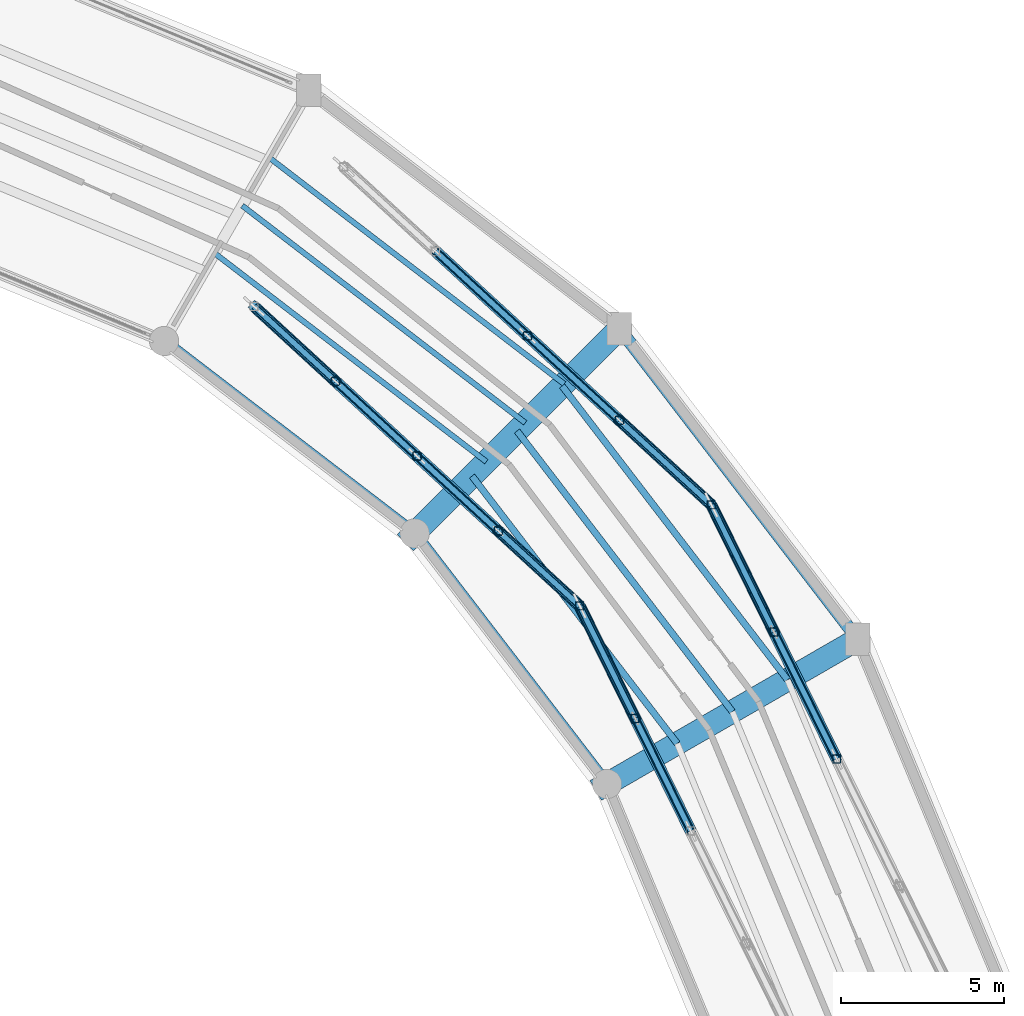
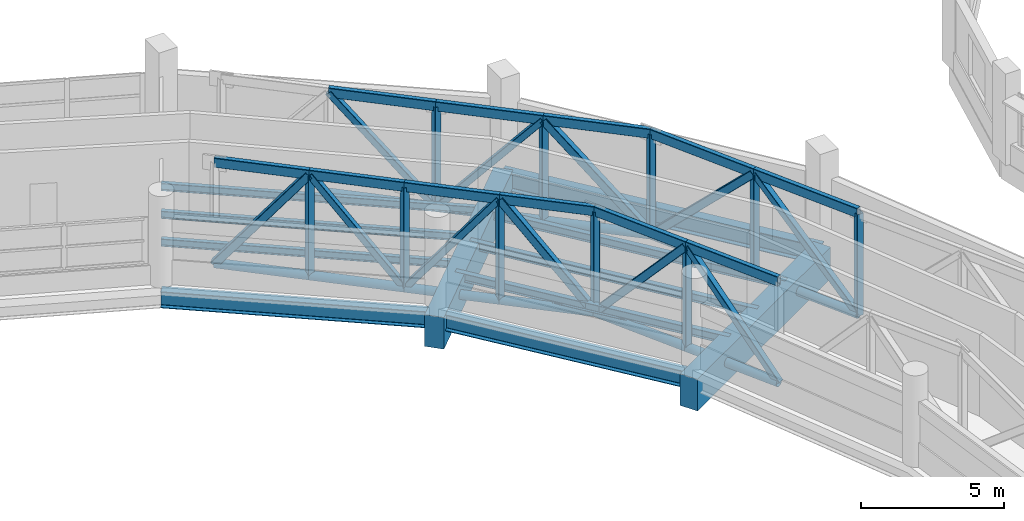
# One storey, part 52 of 121: 43 members, 11 beams.
"""IFC4 building model written with IfcOpenShell, lengths in metres."""

import ifcopenshell
import ifcopenshell.guid

model = None  # the IFC model being written
_history = None  # IfcOwnerHistory: only IFC2X3 demands one
_inside = {}  # id of a spatial element -> (the spatial element, [elements in it])
_under = {}  # id of a project, library or spatial element -> (it, [spatial elements below it])
_declared = {}  # id of a project -> (the project, [libraries it declares])
_typed = {}  # id of a type object -> (the type object, [elements of that type])
_made_of = {}  # id of a material, layer set ... -> (it, [elements and type objects made of it])


def new_model(schema):
    """Start an empty IFC model of exactly this schema.

    Asked for "IFC4X3", IfcOpenShell would pick the latest addendum, in which some entities
    have other attributes; the version numbers below select the first issue.
    IFC2X3 requires an IfcOwnerHistory on every rooted entity: one is made here for all.
    """
    global model, _history
    if schema == "IFC4X3":
        model = ifcopenshell.file(schema_version=(4, 3, 0, 0))
    else:
        model = ifcopenshell.file(schema=schema)
    _inside.clear()
    _under.clear()
    _declared.clear()
    _typed.clear()
    _made_of.clear()
    _history = None
    if model.schema == "IFC2X3":
        org = make("IfcOrganization", Name="unknown")
        user = make(
            "IfcPersonAndOrganization",
            ThePerson=make("IfcPerson", FamilyName="unknown"),
            TheOrganization=org,
        )
        app = make(
            "IfcApplication",
            ApplicationDeveloper=org,
            Version="unknown",
            ApplicationFullName="unknown",
            ApplicationIdentifier="unknown",
        )
        _history = make(
            "IfcOwnerHistory",
            OwningUser=user,
            OwningApplication=app,
            ChangeAction="ADDED",
            CreationDate=0,
        )
    return model


def make(cls, **values):
    """One entity of the class cls with the attributes given. An attribute that is None is left unset."""
    return model.create_entity(
        cls, **{name: value for name, value in values.items() if value is not None}
    )


def rooted(cls, **values):
    """An entity with a GlobalId (a new one), such as an element, a storey or a relation."""
    return make(cls, GlobalId=ifcopenshell.guid.new(), OwnerHistory=_history, **values)


def si_unit(unit_type, name, prefix=None):
    """IfcSIUnit, for example si_unit("LENGTHUNIT", "METRE", prefix="MILLI")."""
    return make("IfcSIUnit", UnitType=unit_type, Prefix=prefix, Name=name)


def assignment(units):
    """IfcUnitAssignment: the units of a project."""
    return None if units is None else make("IfcUnitAssignment", Units=units)


def point(xyz):
    """IfcCartesianPoint."""
    return None if xyz is None else make("IfcCartesianPoint", Coordinates=xyz)


def direction(xyz):
    """IfcDirection."""
    return None if xyz is None else make("IfcDirection", DirectionRatios=xyz)


def frame(location, z_axis=None, x_axis=None):
    """IfcAxis2Placement3D, a coordinate frame: its origin and axes. An axis left out is left unset."""
    return make(
        "IfcAxis2Placement3D",
        Location=point(location),
        Axis=direction(z_axis),
        RefDirection=direction(x_axis),
    )


def frame_2d(location, x_axis=None):
    """IfcAxis2Placement2D, a coordinate frame in the plane: its origin and x axis."""
    return make(
        "IfcAxis2Placement2D", Location=point(location), RefDirection=direction(x_axis)
    )


def origin():
    """The frame at (0, 0, 0) with its axes left unset."""
    return frame((0.0, 0.0, 0.0))


def origin_2d():
    """The frame at (0, 0) in the plane with its x axis left unset."""
    return frame_2d((0.0, 0.0))


def place(relative_to, where):
    """IfcLocalPlacement: puts the frame where relative to a parent placement (None: the world)."""
    return make(
        "IfcLocalPlacement", PlacementRelTo=relative_to, RelativePlacement=where
    )


def context(
    kind, dimensions, precision=None, world=None, true_north=None, identifier=None
):
    """IfcGeometricRepresentationContext, for example the 3D "Model" context."""
    return make(
        "IfcGeometricRepresentationContext",
        ContextIdentifier=identifier,
        ContextType=kind,
        CoordinateSpaceDimension=dimensions,
        Precision=precision,
        WorldCoordinateSystem=world,
        TrueNorth=true_north,
    )


def subcontext(parent, identifier, kind, view, scale=None):
    """IfcGeometricRepresentationSubContext, for example "Body" below "Model"."""
    return make(
        "IfcGeometricRepresentationSubContext",
        ContextIdentifier=identifier,
        ContextType=kind,
        ParentContext=parent,
        TargetScale=scale,
        TargetView=view,
    )


def project(units=None, contexts=None):
    """IfcProject with its units and contexts."""
    return rooted(
        "IfcProject",
        Name="project",
        RepresentationContexts=contexts,
        UnitsInContext=assignment(units),
    )


def spatial(cls, under=None, at=None, **own):
    """A site, building, storey or space (cls), placed at a placement, below another one or the project."""
    s = rooted(cls, ObjectPlacement=at, **own)
    if under is not None:
        _under.setdefault(under.id(), (under, []))[1].append(s)
    return s


def profile(cls, at=None, kind="AREA", **sizes):
    """A parametric profile (cls). Its sizes go by their IFC names, for example OverallWidth=200.0."""
    return make(cls, ProfileType=kind, Position=at, **sizes)


def rectangle(**sizes):
    """IfcRectangleProfileDef."""
    return profile("IfcRectangleProfileDef", **sizes)


def hollow_rectangle(**sizes):
    """IfcRectangleHollowProfileDef."""
    return profile("IfcRectangleHollowProfileDef", **sizes)


def hollow_circle(**sizes):
    """IfcCircleHollowProfileDef."""
    return profile("IfcCircleHollowProfileDef", **sizes)


def i_section(**sizes):
    """IfcIShapeProfileDef."""
    return profile("IfcIShapeProfileDef", **sizes)


def extrude(swept, where, along, depth):
    """IfcExtrudedAreaSolid: the profile swept, set in the frame where, extruded along a direction by depth."""
    return make(
        "IfcExtrudedAreaSolid",
        SweptArea=swept,
        Position=where,
        ExtrudedDirection=direction(along),
        Depth=depth,
    )


def shape(context_of_items, identifier, shape_type, items):
    """IfcShapeRepresentation: the items that make up one representation, for example the "Body"."""
    return make(
        "IfcShapeRepresentation",
        ContextOfItems=context_of_items,
        RepresentationIdentifier=identifier,
        RepresentationType=shape_type,
        Items=items,
    )


def material(Name=None, Category=None):
    """IfcMaterial."""
    return make("IfcMaterial", Name=Name, Category=Category)


def material_profile(
    of_material, cross_section, Name=None, Category=None, Priority=None
):
    """IfcMaterialProfile: a cross section and its material."""
    return make(
        "IfcMaterialProfile",
        Name=Name,
        Material=of_material,
        Profile=cross_section,
        Priority=Priority,
        Category=Category,
    )


def profile_set(profiles, Name=None, composite=None):
    """IfcMaterialProfileSet."""
    return make(
        "IfcMaterialProfileSet",
        Name=Name,
        MaterialProfiles=profiles,
        CompositeProfile=composite,
    )


def made_of(thing, what):
    """Note that an element or type object is made of a material, layer set ...; save() writes the relation."""
    if what is not None:
        _made_of.setdefault(what.id(), (what, []))[1].append(thing)
    return thing


def type_object(cls, material=None, **own):
    """A type object (cls), such as IfcWallType, which elements share."""
    return made_of(rooted(cls, **own), material)


def element(
    cls,
    number,
    at=None,
    inside=None,
    cuts=None,
    type_object=None,
    material=None,
    context=None,
    identifier="Body",
    shape_type=None,
    held_by="IfcProductDefinitionShape",
    body=None,
    shapes=None,
    **own,
):
    """One element of the class cls, such as IfcWall. Its Tag is "e" and its number.

    at: its placement. inside: the storey or other place that contains it. cuts: it is an
    opening in that element (IfcRelVoidsElement). A single representation is given by context,
    identifier, shape_type and body (its items); several are given by shapes. held_by: the class
    of the entity that holds the representations. save() writes the other relations.
    """
    e = rooted(cls, Tag="e%d" % number, ObjectPlacement=at, **own)
    if body is not None:
        shapes = [shape(context, identifier, shape_type, body)]
    if shapes is not None:
        e.Representation = make(held_by, Representations=shapes)
    if inside is not None:
        _inside.setdefault(inside.id(), (inside, []))[1].append(e)
    if cuts is not None:
        rooted(
            "IfcRelVoidsElement", RelatingBuildingElement=cuts, RelatedOpeningElement=e
        )
    if type_object is not None:
        _typed.setdefault(type_object.id(), (type_object, []))[1].append(e)
    return made_of(e, material)


def aggregate(whole, parts):
    """IfcRelAggregates: a whole, such as a stair, and the parts it consists of."""
    return rooted("IfcRelAggregates", RelatingObject=whole, RelatedObjects=parts)


def save(model, path):
    """Write the relations noted so far, then the file.

    IfcRelAggregates (storeys below a building ...), IfcRelContainedInSpatialStructure (elements
    in a storey), IfcRelDefinesByType, IfcRelAssociatesMaterial and IfcRelDeclares: one each for
    every whole, place, type object, material and project.
    """
    for whole, parts in _under.values():
        aggregate(whole, parts)
    for where, things in _inside.values():
        rooted(
            "IfcRelContainedInSpatialStructure",
            RelatedElements=things,
            RelatingStructure=where,
        )
    for kind, things in _typed.values():
        rooted("IfcRelDefinesByType", RelatedObjects=things, RelatingType=kind)
    for what, things in _made_of.values():
        rooted("IfcRelAssociatesMaterial", RelatedObjects=things, RelatingMaterial=what)
    for by, libraries in _declared.values():
        rooted("IfcRelDeclares", RelatingContext=by, RelatedDefinitions=libraries)
    model.write(path)


model = new_model("IFC4")

# Units and contexts
model_context = context("Model", 3, precision=1e-05, world=origin(), true_north=direction((0.0, 1.0)))
body_context = subcontext(model_context, "Body", "Model", "MODEL_VIEW")
ifc_project = project(units=[si_unit("LENGTHUNIT", "METRE"), si_unit("AREAUNIT", "SQUARE_METRE"), si_unit("VOLUMEUNIT", "CUBIC_METRE"), si_unit("PLANEANGLEUNIT", "RADIAN"), si_unit("MASSUNIT", "GRAM", prefix="KILO")], contexts=[model_context])

# Site, building, storey
site_placement = place(None, origin())
site = spatial("IfcSite", under=ifc_project, at=site_placement, CompositionType="ELEMENT")
building_placement = place(site_placement, origin())
building = spatial("IfcBuilding", under=site, at=building_placement, Name="Vespera Passage Community Centre", CompositionType="ELEMENT")
storey_placement = place(building_placement, frame((0.0, 0.0, 8.699951171875)))
storey = spatial("IfcBuildingStorey", under=building, at=storey_placement, Name="L02", CompositionType="ELEMENT", Elevation=8.699951171875)

# Members
ifc_material_1 = material(Name="Steel ASTM A500 Grade C", Category="steel")
ifc_material_profile_1 = material_profile(ifc_material_1, hollow_circle(Radius=0.177734375, WallThickness=0.014892578125, at=origin_2d()), Name="CHS356X15.9")
ifc_profile_set_1 = profile_set([ifc_material_profile_1], Name="Steel ASTM A500 Grade C")
member_type_1 = type_object("IfcMemberType", Name="BC-356", PredefinedType="CHORD", material=ifc_profile_set_1)
member_1_placement = place(storey_placement, frame((117.27587890625, 84.868896484375, -0.849853515625), z_axis=(-0.442296190279, 0.896869042873, 0.0), x_axis=(-0.896869042873, -0.442296190279, 0.0)))
element("IfcMember", 1, at=member_1_placement, inside=storey, type_object=member_type_1, Name="BC-356 Transfer Truss Chord TR6O.3", PredefinedType="CHORD", context=body_context, shape_type="SweptSolid", body=[
    extrude(hollow_circle(Radius=0.177734375, WallThickness=0.014892578125, at=origin_2d()), origin(), (0.0, 0.0, 1.0), 4.355224609375),
])
member_2_placement = place(storey_placement, frame((115.349609375, 88.77490234375, -0.849853515625), z_axis=(-0.442319042762, 0.896857772676, 0.0), x_axis=(-0.896857772676, -0.442319042762, 0.0)))
element("IfcMember", 2, at=member_2_placement, inside=storey, type_object=member_type_1, Name="BC-356 Transfer Truss Chord TR6O.4", PredefinedType="CHORD", context=body_context, shape_type="SweptSolid", body=[
    extrude(hollow_circle(Radius=0.177734375, WallThickness=0.014892578125, at=origin_2d()), origin(), (0.0, 0.0, 1.0), 4.35546875),
])
for number, where, z_axis, x_axis, name in (
    (3, (112.789794921875, 82.656494140625, -0.849853515625), (-0.44229597074, 0.896869151141, 0.0), (-0.896869151141, -0.44229597074, 0.0), "BC-356 Transfer Truss Chord TR6I.3"),
    (4, (111.08349609375, 86.116455078125, -0.849853515625), (-0.44229597074, 0.896869151141, 0.0), (-0.896869151141, -0.44229597074, 0.0), "BC-356 Transfer Truss Chord TR6I.4"),
):
    element("IfcMember", number, at=place(storey_placement, frame(where, z_axis=z_axis, x_axis=x_axis)), inside=storey, type_object=member_type_1, Name=name, PredefinedType="CHORD", context=body_context, shape_type="SweptSolid", body=[
        extrude(hollow_circle(Radius=0.177734375, WallThickness=0.014892578125, at=origin_2d()), origin(), (0.0, 0.0, 1.0), 3.85791015625),
    ])
member_3_placement = place(storey_placement, frame((113.423095703125, 92.68115234375, -0.849853515625), z_axis=(-0.736065377644, 0.676910451857, 0.0), x_axis=(-0.676910451857, -0.736065377644, 0.0)))
element("IfcMember", 5, at=member_3_placement, inside=storey, type_object=member_type_1, Name="BC-356 Transfer Truss Chord TR7O.1", PredefinedType="CHORD", context=body_context, shape_type="SweptSolid", body=[
    extrude(hollow_circle(Radius=0.177734375, WallThickness=0.014892578125, at=origin_2d()), origin(), (0.0, 0.0, 1.0), 3.838134765625),
])
member_4_placement = place(storey_placement, frame((110.597900390625, 95.279296875, -0.849853515625), z_axis=(-0.736094521023, 0.676878760281, 0.0), x_axis=(-0.676878760281, -0.736094521023, 0.0)))
element("IfcMember", 6, at=member_4_placement, inside=storey, type_object=member_type_1, Name="BC-356 Transfer Truss Chord TR7O.2", PredefinedType="CHORD", context=body_context, shape_type="SweptSolid", body=[
    extrude(hollow_circle(Radius=0.177734375, WallThickness=0.014892578125, at=origin_2d()), origin(), (0.0, 0.0, 1.0), 3.83837890625),
])
member_5_placement = place(storey_placement, frame((107.7724609375, 97.87744140625, -0.849853515625), z_axis=(-0.736126212301, 0.676844294919, 0.0), x_axis=(-0.676844294919, -0.736126212301, 0.0)))
element("IfcMember", 7, at=member_5_placement, inside=storey, type_object=member_type_1, Name="BC-356 Transfer Truss Chord TR7O.3", PredefinedType="CHORD", context=body_context, shape_type="SweptSolid", body=[
    extrude(hollow_circle(Radius=0.177734375, WallThickness=0.014892578125, at=origin_2d()), origin(), (0.0, 0.0, 1.0), 3.838134765625),
])
member_6_placement = place(storey_placement, frame((109.377197265625, 89.576416015625, -0.849853515625), z_axis=(-0.736107023039, 0.676865164293, 0.0), x_axis=(-0.676865164293, -0.736107023039, 0.0)))
element("IfcMember", 8, at=member_6_placement, inside=storey, type_object=member_type_1, Name="BC-356 Transfer Truss Chord TR7I.1", PredefinedType="CHORD", context=body_context, shape_type="SweptSolid", body=[
    extrude(hollow_circle(Radius=0.177734375, WallThickness=0.014892578125, at=origin_2d()), origin(), (0.0, 0.0, 1.0), 3.39990234375),
])
member_7_placement = place(storey_placement, frame((106.87451171875, 91.877685546875, -0.849853515625), z_axis=(-0.736071245602, 0.676904071046, 0.0), x_axis=(-0.676904071046, -0.736071245602, 0.0)))
element("IfcMember", 9, at=member_7_placement, inside=storey, type_object=member_type_1, Name="BC-356 Transfer Truss Chord TR7I.2", PredefinedType="CHORD", context=body_context, shape_type="SweptSolid", body=[
    extrude(hollow_circle(Radius=0.177734375, WallThickness=0.014892578125, at=origin_2d()), origin(), (0.0, 0.0, 1.0), 3.400146484375),
])
for number, where, z_axis, x_axis, name in (
    (10, (104.371826171875, 94.17919921875, -0.849853515625), (-0.736107023039, 0.676865164293, 0.0), (-0.676865164293, -0.736107023039, 0.0), "BC-356 Transfer Truss Chord TR7I.3"),
    (11, (101.869140625, 96.48046875, -0.849853515625), (-0.736107023039, 0.676865164293, 0.0), (-0.676865164293, -0.736107023039, 0.0), "BC-356 Transfer Truss Chord TR7I.4"),
):
    element("IfcMember", number, at=place(storey_placement, frame(where, z_axis=z_axis, x_axis=x_axis)), inside=storey, type_object=member_type_1, Name=name, PredefinedType="CHORD", context=body_context, shape_type="SweptSolid", body=[
        extrude(hollow_circle(Radius=0.177734375, WallThickness=0.014892578125, at=origin_2d()), origin(), (0.0, 0.0, 1.0), 3.39990234375),
    ])

# Beams
ifc_material_2 = material(Name="Steel ASTM A992 Grade 50", Category="steel")
ifc_material_profile_2 = material_profile(ifc_material_2, i_section(OverallWidth=0.16650390625, OverallDepth=0.3173828125, WebThickness=0.007568359375, FlangeThickness=0.01318359375, FilletRadius=0.007568359375, at=origin_2d()), Name="W12X35")
ifc_profile_set_2 = profile_set([ifc_material_profile_2], Name="Steel ASTM A992 Grade 50")
beam_type_1 = type_object("IfcBeamType", Name="BM-J-W12X35", PredefinedType="JOIST", material=ifc_profile_set_2)
beam_1_placement = place(storey_placement, frame((106.507080078125, 94.007080078125, -0.498779296875), z_axis=(-0.793359871824, 0.608752916854, 0.0), x_axis=(-0.608752916854, -0.793359871824, 0.0)))
element("IfcBeam", 12, at=beam_1_placement, inside=storey, type_object=beam_type_1, Name="V4 L02 Floor Joist 3.1", PredefinedType="JOIST", context=body_context, shape_type="SweptSolid", body=[
    extrude(i_section(OverallWidth=0.16650390625, OverallDepth=0.3173828125, WebThickness=0.007568359375, FlangeThickness=0.01318359375, FilletRadius=0.007568359375, at=origin_2d()), origin(), (0.0, 0.0, 1.0), 10.5244140625),
])
beam_2_placement = place(storey_placement, frame((107.70263671875, 95.20263671875, -0.498779296875), z_axis=(-0.793341833785, 0.608776424286, 0.0), x_axis=(-0.608776424286, -0.793341833785, 0.0)))
element("IfcBeam", 13, at=beam_2_placement, inside=storey, type_object=beam_type_1, Name="V4 L02 Floor Joist 3.2", PredefinedType="JOIST", context=body_context, shape_type="SweptSolid", body=[
    extrude(i_section(OverallWidth=0.16650390625, OverallDepth=0.3173828125, WebThickness=0.007568359375, FlangeThickness=0.01318359375, FilletRadius=0.007568359375, at=origin_2d()), origin(), (0.0, 0.0, 1.0), 10.9658203125),
])
beam_3_placement = place(storey_placement, frame((108.8984375, 96.3984375, -0.498779296875), z_axis=(-0.793353796307, 0.608760834718, 0.0), x_axis=(-0.608760834718, -0.793353796307, 0.0)))
element("IfcBeam", 14, at=beam_3_placement, inside=storey, type_object=beam_type_1, Name="V4 L02 Floor Joist 3.3", PredefinedType="JOIST", context=body_context, shape_type="SweptSolid", body=[
    extrude(i_section(OverallWidth=0.16650390625, OverallDepth=0.3173828125, WebThickness=0.007568359375, FlangeThickness=0.01318359375, FilletRadius=0.007568359375, at=origin_2d()), origin(), (0.0, 0.0, 1.0), 11.4072265625),
])
ifc_material_3 = material(Name="Steel ASTM A992 Grade 50", Category="steel")
ifc_material_profile_3 = material_profile(ifc_material_3, i_section(OverallWidth=0.2041015625, OverallDepth=0.3505859375, WebThickness=0.008544921875, FlangeThickness=0.01513671875, FilletRadius=0.01513671875, at=origin_2d()), Name="W14X48")
ifc_profile_set_3 = profile_set([ifc_material_profile_3], Name="Steel ASTM A992 Grade 50")
beam_type_2 = type_object("IfcBeamType", Name="BM-J-W14X48", PredefinedType="JOIST", material=ifc_profile_set_3)
beam_4_placement = place(storey_placement, frame((112.374267578125, 85.345947265625, -0.51513671875), z_axis=(-0.608766367214, 0.793349551049, 0.0), x_axis=(-0.793349551049, -0.608766367214, 0.0)))
element("IfcBeam", 15, at=beam_4_placement, inside=storey, type_object=beam_type_2, Name="V4 L02 Floor Joist 2.1", PredefinedType="JOIST", context=body_context, shape_type="SweptSolid", body=[
    extrude(i_section(OverallWidth=0.2041015625, OverallDepth=0.3505859375, WebThickness=0.008544921875, FlangeThickness=0.01513671875, FilletRadius=0.01513671875, at=origin_2d()), origin(), (0.0, 0.0, 1.0), 10.36181640625),
])
beam_5_placement = place(storey_placement, frame((114.070068359375, 86.324951171875, -0.51513671875), z_axis=(-0.608772775584, 0.793344633629, 0.0), x_axis=(-0.793344633629, -0.608772775584, 0.0)))
element("IfcBeam", 16, at=beam_5_placement, inside=storey, type_object=beam_type_2, Name="V4 L02 Floor Joist 2.2", PredefinedType="JOIST", context=body_context, shape_type="SweptSolid", body=[
    extrude(i_section(OverallWidth=0.2041015625, OverallDepth=0.3505859375, WebThickness=0.008544921875, FlangeThickness=0.01513671875, FilletRadius=0.01513671875, at=origin_2d()), origin(), (0.0, 0.0, 1.0), 10.873046875),
])
beam_6_placement = place(storey_placement, frame((115.765625, 87.303955078125, -0.51513671875), z_axis=(-0.608765110442, 0.793350515415, 0.0), x_axis=(-0.793350515415, -0.608765110442, 0.0)))
element("IfcBeam", 17, at=beam_6_placement, inside=storey, type_object=beam_type_2, Name="V4 L02 Floor Joist 2.3", PredefinedType="JOIST", context=body_context, shape_type="SweptSolid", body=[
    extrude(i_section(OverallWidth=0.2041015625, OverallDepth=0.3505859375, WebThickness=0.008544921875, FlangeThickness=0.01513671875, FilletRadius=0.01513671875, at=origin_2d()), origin(), (0.0, 0.0, 1.0), 11.384033203125),
])
ifc_material_4 = material(Name="Steel ASTM A992 Grade 50", Category="steel")
ifc_material_profile_4 = material_profile(ifc_material_4, i_section(OverallWidth=0.3544921875, OverallDepth=0.695556640625, WebThickness=0.015380859375, FlangeThickness=0.024658203125, FilletRadius=0.01513671875, at=origin_2d()), Name="W27X146")
ifc_profile_set_4 = profile_set([ifc_material_profile_4], Name="Steel ASTM A992 Grade 50")
beam_type_3 = type_object("IfcBeamType", Name="BM-SP-W27X146E", PredefinedType="SPANDREL", material=ifc_profile_set_4)
for number, where, z_axis, x_axis, name in (
    (18, (110.216064453125, 84.10009765625, -0.687744140625), (-0.60875291963, 0.793359869694, 0.0), (-0.793359869694, -0.60875291963, 0.0), "V4 L02 Inner Spandrel 2"),
    (19, (104.304443359375, 91.804443359375, -0.687744140625), (-0.793359869694, 0.60875291963, 0.0), (-0.60875291963, -0.793359869694, 0.0), "V4 L02 Inner Spandrel 3"),
):
    element("IfcBeam", number, at=place(storey_placement, frame(where, z_axis=z_axis, x_axis=x_axis)), inside=storey, type_object=beam_type_3, Name=name, PredefinedType="SPANDREL", context=body_context, shape_type="SweptSolid", body=[
        extrude(i_section(OverallWidth=0.3544921875, OverallDepth=0.695556640625, WebThickness=0.015380859375, FlangeThickness=0.024658203125, FilletRadius=0.01513671875, at=origin_2d()), origin(), (0.0, 0.0, 1.0), 9.7109375),
    ])
ifc_material_5 = material(Name="Steel ASTM A992 Grade 50", Category="steel")
ifc_material_profile_5 = material_profile(ifc_material_5, i_section(OverallWidth=0.382080078125, OverallDepth=0.779296875, WebThickness=0.01806640625, FlangeThickness=0.030029296875, FilletRadius=0.0166015625, at=origin_2d()), Name="W30X191")
ifc_profile_set_5 = profile_set([ifc_material_profile_5], Name="Steel ASTM A992 Grade 50")
beam_type_4 = type_object("IfcBeamType", Name="BM-SP-W30X191E", PredefinedType="SPANDREL", material=ifc_profile_set_5)
beam_7_placement = place(storey_placement, frame((117.923828125, 88.550048828125, -0.729736328125), z_axis=(-0.608763261066, 0.793351934501, 0.0), x_axis=(-0.793351934501, -0.608763261066, 0.0)))
element("IfcBeam", 20, at=beam_7_placement, inside=storey, type_object=beam_type_4, Name="V4 L02 Outer Spandrel 2", PredefinedType="SPANDREL", context=body_context, shape_type="SweptSolid", body=[
    extrude(i_section(OverallWidth=0.382080078125, OverallDepth=0.779296875, WebThickness=0.01806640625, FlangeThickness=0.030029296875, FilletRadius=0.0166015625, at=origin_2d()), origin(), (0.0, 0.0, 1.0), 12.034423828125),
])

# Members
ifc_material_6 = material(Name="Steel ASTM A500 Grade C", Category="steel")
ifc_material_profile_6 = material_profile(ifc_material_6, hollow_rectangle(XDim=0.203125, YDim=0.406494140625, WallThickness=0.014892578125, InnerFilletRadius=0.014892578125, OuterFilletRadius=0.029541015625, at=origin_2d()), Name="HSS406X203X15.9")
ifc_profile_set_6 = profile_set([ifc_material_profile_6], Name="Steel ASTM A500 Grade C")
member_type_2 = type_object("IfcMemberType", Name="TC-406", PredefinedType="CHORD", material=ifc_profile_set_6)
member_8_placement = place(storey_placement, frame((117.27587890625, 84.868896484375, 3.47998046875), z_axis=(-0.442296190279, 0.896869042873, 0.0), x_axis=(-0.896869042873, -0.442296190279, 0.0)))
element("IfcMember", 21, at=member_8_placement, inside=storey, type_object=member_type_2, Name="TC-406 Transfer Truss Chord TR6O.3", PredefinedType="CHORD", context=body_context, shape_type="SweptSolid", body=[
    extrude(hollow_rectangle(XDim=0.203125, YDim=0.406494140625, WallThickness=0.014892578125, InnerFilletRadius=0.014892578125, OuterFilletRadius=0.029541015625, at=origin_2d()), origin(), (0.0, 0.0, 1.0), 4.355224609375),
])
member_9_placement = place(storey_placement, frame((115.349609375, 88.77490234375, 3.47998046875), z_axis=(-0.442319042762, 0.896857772676, 0.0), x_axis=(-0.896857772676, -0.442319042762, 0.0)))
element("IfcMember", 22, at=member_9_placement, inside=storey, type_object=member_type_2, Name="TC-406 Transfer Truss Chord TR6O.4", PredefinedType="CHORD", context=body_context, shape_type="SweptSolid", body=[
    extrude(hollow_rectangle(XDim=0.203125, YDim=0.406494140625, WallThickness=0.014892578125, InnerFilletRadius=0.014892578125, OuterFilletRadius=0.029541015625, at=origin_2d()), origin(), (0.0, 0.0, 1.0), 4.35546875),
])
for number, where, z_axis, x_axis, name in (
    (23, (112.789794921875, 82.656494140625, 3.47998046875), (-0.44229597074, 0.896869151141, 0.0), (-0.896869151141, -0.44229597074, 0.0), "TC-406 Transfer Truss Chord TR6I.3"),
    (24, (111.08349609375, 86.116455078125, 3.47998046875), (-0.44229597074, 0.896869151141, 0.0), (-0.896869151141, -0.44229597074, 0.0), "TC-406 Transfer Truss Chord TR6I.4"),
):
    element("IfcMember", number, at=place(storey_placement, frame(where, z_axis=z_axis, x_axis=x_axis)), inside=storey, type_object=member_type_2, Name=name, PredefinedType="CHORD", context=body_context, shape_type="SweptSolid", body=[
        extrude(hollow_rectangle(XDim=0.203125, YDim=0.406494140625, WallThickness=0.014892578125, InnerFilletRadius=0.014892578125, OuterFilletRadius=0.029541015625, at=origin_2d()), origin(), (0.0, 0.0, 1.0), 3.85791015625),
    ])
member_10_placement = place(storey_placement, frame((113.423095703125, 92.68115234375, 3.47998046875), z_axis=(-0.736065377644, 0.676910451857, 0.0), x_axis=(-0.676910451857, -0.736065377644, 0.0)))
element("IfcMember", 25, at=member_10_placement, inside=storey, type_object=member_type_2, Name="TC-406 Transfer Truss Chord TR7O.1", PredefinedType="CHORD", context=body_context, shape_type="SweptSolid", body=[
    extrude(hollow_rectangle(XDim=0.203125, YDim=0.406494140625, WallThickness=0.014892578125, InnerFilletRadius=0.014892578125, OuterFilletRadius=0.029541015625, at=origin_2d()), origin(), (0.0, 0.0, 1.0), 3.838134765625),
])
member_11_placement = place(storey_placement, frame((110.597900390625, 95.279296875, 3.47998046875), z_axis=(-0.736094521023, 0.676878760281, 0.0), x_axis=(-0.676878760281, -0.736094521023, 0.0)))
element("IfcMember", 26, at=member_11_placement, inside=storey, type_object=member_type_2, Name="TC-406 Transfer Truss Chord TR7O.2", PredefinedType="CHORD", context=body_context, shape_type="SweptSolid", body=[
    extrude(hollow_rectangle(XDim=0.203125, YDim=0.406494140625, WallThickness=0.014892578125, InnerFilletRadius=0.014892578125, OuterFilletRadius=0.029541015625, at=origin_2d()), origin(), (0.0, 0.0, 1.0), 3.83837890625),
])
member_12_placement = place(storey_placement, frame((107.7724609375, 97.87744140625, 3.47998046875), z_axis=(-0.736126212301, 0.676844294919, 0.0), x_axis=(-0.676844294919, -0.736126212301, 0.0)))
element("IfcMember", 27, at=member_12_placement, inside=storey, type_object=member_type_2, Name="TC-406 Transfer Truss Chord TR7O.3", PredefinedType="CHORD", context=body_context, shape_type="SweptSolid", body=[
    extrude(hollow_rectangle(XDim=0.203125, YDim=0.406494140625, WallThickness=0.014892578125, InnerFilletRadius=0.014892578125, OuterFilletRadius=0.029541015625, at=origin_2d()), origin(), (0.0, 0.0, 1.0), 3.838134765625),
])
member_13_placement = place(storey_placement, frame((109.377197265625, 89.576416015625, 3.47998046875), z_axis=(-0.736107023039, 0.676865164293, 0.0), x_axis=(-0.676865164293, -0.736107023039, 0.0)))
element("IfcMember", 28, at=member_13_placement, inside=storey, type_object=member_type_2, Name="TC-406 Transfer Truss Chord TR7I.1", PredefinedType="CHORD", context=body_context, shape_type="SweptSolid", body=[
    extrude(hollow_rectangle(XDim=0.203125, YDim=0.406494140625, WallThickness=0.014892578125, InnerFilletRadius=0.014892578125, OuterFilletRadius=0.029541015625, at=origin_2d()), origin(), (0.0, 0.0, 1.0), 3.39990234375),
])
member_14_placement = place(storey_placement, frame((106.87451171875, 91.877685546875, 3.47998046875), z_axis=(-0.736071245602, 0.676904071046, 0.0), x_axis=(-0.676904071046, -0.736071245602, 0.0)))
element("IfcMember", 29, at=member_14_placement, inside=storey, type_object=member_type_2, Name="TC-406 Transfer Truss Chord TR7I.2", PredefinedType="CHORD", context=body_context, shape_type="SweptSolid", body=[
    extrude(hollow_rectangle(XDim=0.203125, YDim=0.406494140625, WallThickness=0.014892578125, InnerFilletRadius=0.014892578125, OuterFilletRadius=0.029541015625, at=origin_2d()), origin(), (0.0, 0.0, 1.0), 3.400146484375),
])
for number, where, z_axis, x_axis, name in (
    (30, (104.371826171875, 94.17919921875, 3.47998046875), (-0.736107023039, 0.676865164293, 0.0), (-0.676865164293, -0.736107023039, 0.0), "TC-406 Transfer Truss Chord TR7I.3"),
    (31, (101.869140625, 96.48046875, 3.47998046875), (-0.736107023039, 0.676865164293, 0.0), (-0.676865164293, -0.736107023039, 0.0), "TC-406 Transfer Truss Chord TR7I.4"),
):
    element("IfcMember", number, at=place(storey_placement, frame(where, z_axis=z_axis, x_axis=x_axis)), inside=storey, type_object=member_type_2, Name=name, PredefinedType="CHORD", context=body_context, shape_type="SweptSolid", body=[
        extrude(hollow_rectangle(XDim=0.203125, YDim=0.406494140625, WallThickness=0.014892578125, InnerFilletRadius=0.014892578125, OuterFilletRadius=0.029541015625, at=origin_2d()), origin(), (0.0, 0.0, 1.0), 3.39990234375),
    ])
ifc_material_7 = material(Name="Steel ASTM A500 Grade C", Category="steel")
ifc_material_profile_7 = material_profile(ifc_material_7, hollow_rectangle(XDim=0.25390625, YDim=0.25390625, WallThickness=0.01171875, InnerFilletRadius=0.01171875, OuterFilletRadius=0.023681640625, at=origin_2d()), Name="HSS254X254X12.7")
ifc_profile_set_7 = profile_set([ifc_material_profile_7], Name="Steel ASTM A500 Grade C")
member_type_3 = type_object("IfcMemberType", Name="TD-254", PredefinedType="BRACE", material=ifc_profile_set_7)
member_15_placement = place(storey_placement, frame((117.27587890625, 84.868896484375, -0.849853515625), z_axis=(-0.313661210672, 0.63602860704, 0.705042024242), x_axis=(-0.896869042873, -0.442296190279, 0.0)))
element("IfcMember", 32, at=member_15_placement, inside=storey, type_object=member_type_3, Name="TD-254 Transfer Truss Diagonal TR6O.3", PredefinedType="BRACE", context=body_context, shape_type="SweptSolid", body=[
    extrude(hollow_rectangle(XDim=0.25390625, YDim=0.25390625, WallThickness=0.01171875, InnerFilletRadius=0.01171875, OuterFilletRadius=0.023681640625, at=origin_2d()), origin(), (0.0, 0.0, 1.0), 6.141357421875),
])
member_16_placement = place(storey_placement, frame((112.789794921875, 82.656494140625, -0.849853515625), z_axis=(-0.294232105387, 0.596631477685, 0.746631333386), x_axis=(-0.896869151141, -0.44229597074, 0.0)))
element("IfcMember", 33, at=member_16_placement, inside=storey, type_object=member_type_3, Name="TD-254 Transfer Truss Diagonal TR6I.3", PredefinedType="BRACE", context=body_context, shape_type="SweptSolid", body=[
    extrude(hollow_rectangle(XDim=0.25390625, YDim=0.25390625, WallThickness=0.01171875, InnerFilletRadius=0.01171875, OuterFilletRadius=0.023681640625, at=origin_2d()), origin(), (0.0, 0.0, 1.0), 5.799072265625),
])
member_17_placement = place(storey_placement, frame((110.597900390625, 95.279296875, 3.47998046875), z_axis=(-0.488300622887, 0.449018856715, -0.748294439377), x_axis=(-0.676878760281, -0.736094521023, 0.0)))
element("IfcMember", 34, at=member_17_placement, inside=storey, type_object=member_type_3, Name="TD-254 Transfer Truss Diagonal TR7O.2", PredefinedType="BRACE", context=body_context, shape_type="SweptSolid", body=[
    extrude(hollow_rectangle(XDim=0.25390625, YDim=0.25390625, WallThickness=0.01171875, InnerFilletRadius=0.01171875, OuterFilletRadius=0.023681640625, at=origin_2d()), origin(), (0.0, 0.0, 1.0), 5.786376953125),
])
member_18_placement = place(storey_placement, frame((107.7724609375, 97.87744140625, -0.849853515625), z_axis=(-0.488309873811, 0.448985169552, 0.74830861592), x_axis=(-0.676844294919, -0.736126212301, 0.0)))
element("IfcMember", 35, at=member_18_placement, inside=storey, type_object=member_type_3, Name="TD-254 Transfer Truss Diagonal TR7O.3", PredefinedType="BRACE", context=body_context, shape_type="SweptSolid", body=[
    extrude(hollow_rectangle(XDim=0.25390625, YDim=0.25390625, WallThickness=0.01171875, InnerFilletRadius=0.01171875, OuterFilletRadius=0.023681640625, at=origin_2d()), origin(), (0.0, 0.0, 1.0), 5.7861328125),
])
member_19_placement = place(storey_placement, frame((106.87451171875, 91.877685546875, 3.47998046875), z_axis=(-0.454599162912, 0.418057390379, -0.786490698883), x_axis=(-0.676904071046, -0.736071245602, 0.0)))
element("IfcMember", 36, at=member_19_placement, inside=storey, type_object=member_type_3, Name="TD-254 Transfer Truss Diagonal TR7I.2", PredefinedType="BRACE", context=body_context, shape_type="SweptSolid", body=[
    extrude(hollow_rectangle(XDim=0.25390625, YDim=0.25390625, WallThickness=0.01171875, InnerFilletRadius=0.01171875, OuterFilletRadius=0.023681640625, at=origin_2d()), origin(), (0.0, 0.0, 1.0), 5.50537109375),
])
member_20_placement = place(storey_placement, frame((104.371826171875, 94.17919921875, -0.849853515625), z_axis=(-0.454607590746, 0.41802079313, 0.786505279669), x_axis=(-0.676865164293, -0.736107023039, 0.0)))
element("IfcMember", 37, at=member_20_placement, inside=storey, type_object=member_type_3, Name="TD-254 Transfer Truss Diagonal TR7I.3", PredefinedType="BRACE", context=body_context, shape_type="SweptSolid", body=[
    extrude(hollow_rectangle(XDim=0.25390625, YDim=0.25390625, WallThickness=0.01171875, InnerFilletRadius=0.01171875, OuterFilletRadius=0.023681640625, at=origin_2d()), origin(), (0.0, 0.0, 1.0), 5.505126953125),
])
ifc_material_8 = material(Name="Steel ASTM A500 Grade C", Category="steel")
ifc_material_profile_8 = material_profile(ifc_material_8, hollow_rectangle(XDim=0.3046875, YDim=0.3046875, WallThickness=0.014892578125, InnerFilletRadius=0.014892578125, OuterFilletRadius=0.029541015625, at=origin_2d()), Name="HSS305X305X15.9")
ifc_profile_set_8 = profile_set([ifc_material_profile_8], Name="Steel ASTM A500 Grade C")
member_type_4 = type_object("IfcMemberType", Name="TD-305", PredefinedType="BRACE", material=ifc_profile_set_8)
member_21_placement = place(storey_placement, frame((115.349609375, 88.77490234375, 3.47998046875), z_axis=(-0.313689121582, 0.636044347397, -0.705015406318), x_axis=(-0.896857772676, -0.442319042762, 0.0)))
element("IfcMember", 38, at=member_21_placement, inside=storey, type_object=member_type_4, Name="TD-305 Transfer Truss Diagonal TR6O.4", PredefinedType="BRACE", context=body_context, shape_type="SweptSolid", body=[
    extrude(hollow_rectangle(XDim=0.3046875, YDim=0.3046875, WallThickness=0.014892578125, InnerFilletRadius=0.014892578125, OuterFilletRadius=0.029541015625, at=origin_2d()), origin(), (0.0, 0.0, 1.0), 6.141357421875),
])
member_22_placement = place(storey_placement, frame((111.08349609375, 86.116455078125, 3.47998046875), z_axis=(-0.294232105387, 0.596631477685, -0.746631333386), x_axis=(-0.896869151141, -0.44229597074, 0.0)))
element("IfcMember", 39, at=member_22_placement, inside=storey, type_object=member_type_4, Name="TD-305 Transfer Truss Diagonal TR6I.4", PredefinedType="BRACE", context=body_context, shape_type="SweptSolid", body=[
    extrude(hollow_rectangle(XDim=0.3046875, YDim=0.3046875, WallThickness=0.014892578125, InnerFilletRadius=0.014892578125, OuterFilletRadius=0.029541015625, at=origin_2d()), origin(), (0.0, 0.0, 1.0), 5.799072265625),
])
member_23_placement = place(storey_placement, frame((113.423095703125, 92.68115234375, -0.849853515625), z_axis=(-0.48826848922, 0.449028107697, 0.748309856231), x_axis=(-0.676910451857, -0.736065377644, 0.0)))
element("IfcMember", 40, at=member_23_placement, inside=storey, type_object=member_type_4, Name="TD-305 Transfer Truss Diagonal TR7O.1", PredefinedType="BRACE", context=body_context, shape_type="SweptSolid", body=[
    extrude(hollow_rectangle(XDim=0.3046875, YDim=0.3046875, WallThickness=0.014892578125, InnerFilletRadius=0.014892578125, OuterFilletRadius=0.029541015625, at=origin_2d()), origin(), (0.0, 0.0, 1.0), 5.7861328125),
])
for number, where, z_axis, x_axis, name in (
    (41, (109.377197265625, 89.576416015625, -0.849853515625), (-0.454607590746, 0.41802079313, 0.786505279669), (-0.676865164293, -0.736107023039, 0.0), "TD-305 Transfer Truss Diagonal TR7I.1"),
    (42, (101.869140625, 96.48046875, 3.47998046875), (-0.454607590746, 0.41802079313, -0.786505279669), (-0.676865164293, -0.736107023039, 0.0), "TD-305 Transfer Truss Diagonal TR7I.4"),
):
    element("IfcMember", number, at=place(storey_placement, frame(where, z_axis=z_axis, x_axis=x_axis)), inside=storey, type_object=member_type_4, Name=name, PredefinedType="BRACE", context=body_context, shape_type="SweptSolid", body=[
        extrude(hollow_rectangle(XDim=0.3046875, YDim=0.3046875, WallThickness=0.014892578125, InnerFilletRadius=0.014892578125, OuterFilletRadius=0.029541015625, at=origin_2d()), origin(), (0.0, 0.0, 1.0), 5.505126953125),
    ])

# Beams
ifc_material_9 = material(Name="Concrete f'c 45 MPa", Category="concrete")
ifc_material_profile_9 = material_profile(ifc_material_9, rectangle(XDim=0.699951171875, YDim=1.35009765625, at=origin_2d()), Name="RC700X1350")
ifc_profile_set_9 = profile_set([ifc_material_profile_9], Name="Concrete f'c 45 MPa")
beam_type_5 = type_object("IfcBeamType", Name="TG-1350", PredefinedType="USERDEFINED", material=ifc_profile_set_9)
beam_8_placement = place(storey_placement, frame((109.86962890625, 83.89990234375, -1.014892578125), z_axis=(0.866022964185, 0.500004225487, 0.0), x_axis=(-0.500004225487, 0.866022964185, 0.0)))
element("IfcBeam", 43, at=beam_8_placement, inside=storey, type_object=beam_type_5, Name="V4 L02 Radial Transfer Girder 2", ObjectType="TRANSFER GIRDER", PredefinedType="USERDEFINED", context=body_context, shape_type="SweptSolid", body=[
    extrude(rectangle(XDim=0.699951171875, YDim=1.35009765625, at=origin_2d()), origin(), (0.0, 0.0, 1.0), 9.30029296875),
])
beam_9_placement = place(storey_placement, frame((104.021484375, 91.521484375, -1.014892578125), z_axis=(0.707106781187, 0.707106781187, 0.0), x_axis=(-0.707106781187, 0.707106781187, 0.0)))
element("IfcBeam", 44, at=beam_9_placement, inside=storey, type_object=beam_type_5, Name="V4 L02 Radial Transfer Girder 3", ObjectType="TRANSFER GIRDER", PredefinedType="USERDEFINED", context=body_context, shape_type="SweptSolid", body=[
    extrude(rectangle(XDim=0.699951171875, YDim=1.35009765625, at=origin_2d()), origin(), (0.0, 0.0, 1.0), 9.300048828125),
])

# Members
ifc_material_10 = material(Name="Steel ASTM A500 Grade C", Category="steel")
ifc_material_profile_10 = material_profile(ifc_material_10, hollow_rectangle(XDim=0.25390625, YDim=0.25390625, WallThickness=0.01171875, InnerFilletRadius=0.01171875, OuterFilletRadius=0.023681640625, at=origin_2d()), Name="HSS254X254X12.7")
ifc_profile_set_10 = profile_set([ifc_material_profile_10], Name="Steel ASTM A500 Grade C")
member_type_5 = type_object("IfcMemberType", Name="TP-254", PredefinedType="POST", material=ifc_profile_set_10)
for number, where, z_axis, x_axis, name in (
    (45, (117.27587890625, 84.868896484375, -0.849853515625), (0.0, 0.0, 1.0), (1.0, 0.0, 0.0), "Truss TR6O Vertical Post 3"),
    (46, (115.349609375, 88.77490234375, -0.849853515625), (0.0, 0.0, 1.0), (1.0, 0.0, 0.0), "Truss TR6O Vertical Post 4"),
    (47, (113.423095703125, 92.68115234375, -0.849853515625), (0.0, 0.0, 1.0), (1.0, 0.0, 0.0), "Truss TR6O Vertical Post 5"),
    (48, (111.08349609375, 86.116455078125, -0.849853515625), (0.0, 0.0, 1.0), (1.0, 0.0, 0.0), "Truss TR6I Vertical Post 4"),
    (49, (109.377197265625, 89.576416015625, -0.849853515625), (0.0, 0.0, 1.0), (1.0, 0.0, 0.0), "Truss TR6I Vertical Post 5"),
    (50, (110.597900390625, 95.279296875, -0.849853515625), (0.0, 0.0, 1.0), (1.0, 0.0, 0.0), "Truss TR7O Vertical Post 2"),
    (51, (107.7724609375, 97.87744140625, -0.849853515625), (0.0, 0.0, 1.0), (1.0, 0.0, 0.0), "Truss TR7O Vertical Post 3"),
    (52, (106.87451171875, 91.877685546875, -0.849853515625), (0.0, 0.0, 1.0), (1.0, 0.0, 0.0), "Truss TR7I Vertical Post 2"),
    (53, (104.371826171875, 94.17919921875, -0.849853515625), (0.0, 0.0, 1.0), (1.0, 0.0, 0.0), "Truss TR7I Vertical Post 3"),
    (54, (101.869140625, 96.48046875, -0.849853515625), (0.0, 0.0, 1.0), (1.0, 0.0, 0.0), "Truss TR7I Vertical Post 4"),
):
    element("IfcMember", number, at=place(storey_placement, frame(where, z_axis=z_axis, x_axis=x_axis)), inside=storey, type_object=member_type_5, Name=name, PredefinedType="POST", context=body_context, shape_type="SweptSolid", body=[
        extrude(hollow_rectangle(XDim=0.25390625, YDim=0.25390625, WallThickness=0.01171875, InnerFilletRadius=0.01171875, OuterFilletRadius=0.023681640625, at=origin_2d()), origin(), (0.0, 0.0, 1.0), 4.329833984375),
    ])

save(model, "model.ifc")
